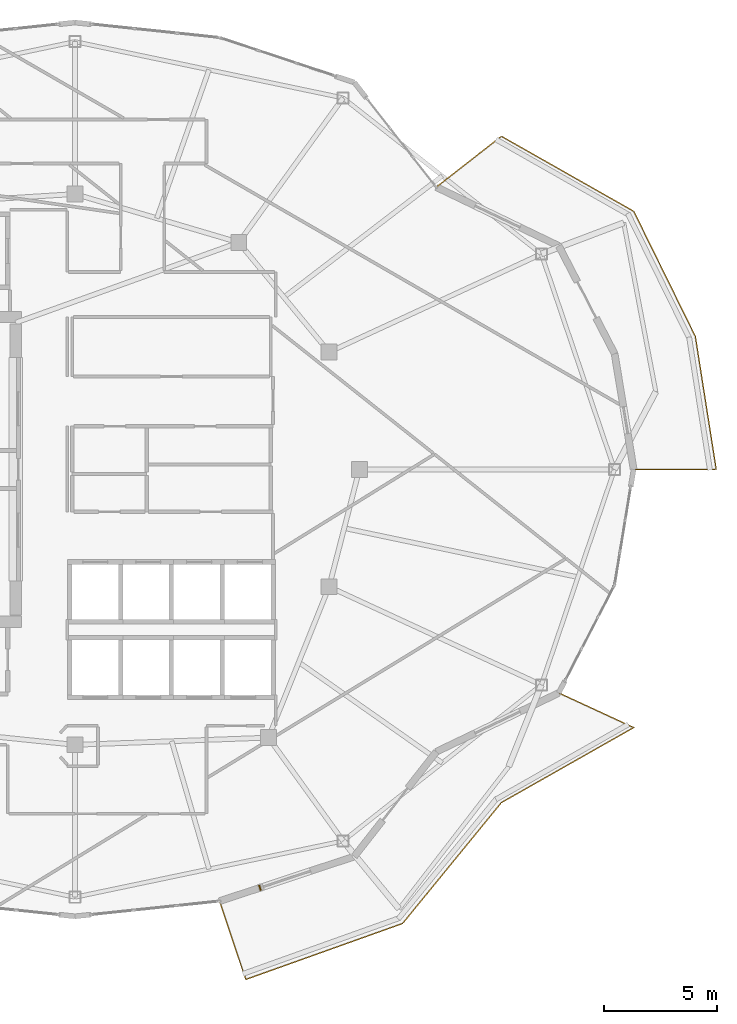
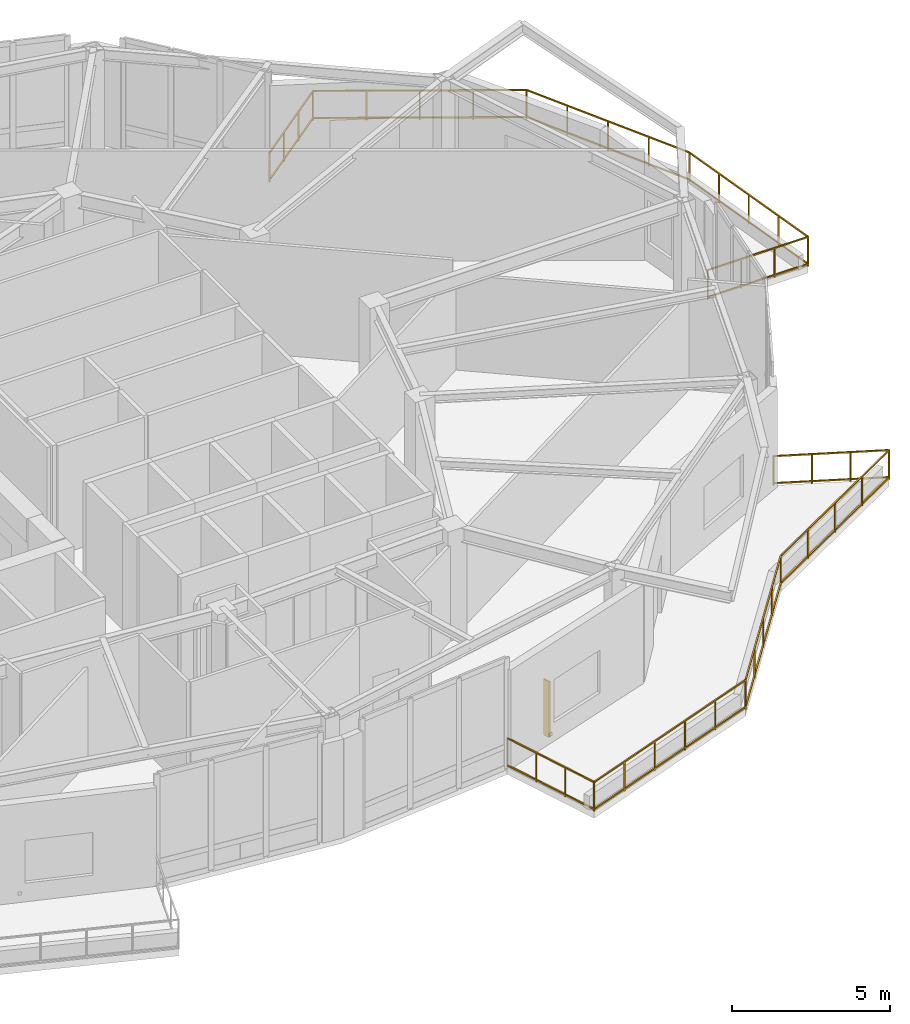
# One storey, part 15 of 15: 2 railings, 1 shading device.
"""IFC4 building model written with IfcOpenShell, lengths in metres."""

from ifc_helpers import new_model, si_unit, direction, frame, origin, origin_2d, place, context, subcontext, project, spatial, rectangle, extrude, material, type_object, element, save


model = new_model("IFC4")

# Units and contexts
model_context = context("Model", 3, precision=1e-05, world=origin(), true_north=direction((0.0, 1.0)))
body_context = subcontext(model_context, "Body", "Model", "MODEL_VIEW")
ifc_project = project(units=[si_unit("LENGTHUNIT", "METRE"), si_unit("AREAUNIT", "SQUARE_METRE"), si_unit("VOLUMEUNIT", "CUBIC_METRE"), si_unit("PLANEANGLEUNIT", "RADIAN"), si_unit("MASSUNIT", "GRAM", prefix="KILO")], contexts=[model_context])

# Site, building, storey
site_placement = place(None, origin())
site = spatial("IfcSite", under=ifc_project, at=site_placement, CompositionType="ELEMENT")
building_placement = place(site_placement, origin())
building = spatial("IfcBuilding", under=site, at=building_placement, Name="Kolvaren Gate Tower and Convention Centre", CompositionType="ELEMENT")
storey_placement = place(building_placement, frame((0.0, 0.0, 191.89990234375)))
storey = spatial("IfcBuildingStorey", under=building, at=storey_placement, Name="L50", CompositionType="ELEMENT", Elevation=191.89990234375)

# Railings
ifc_material_1 = material(Name="Brushed Stainless Steel Grade 316L", Category="steel")
railing_type = type_object("IfcRailingType", Name="ARCH-RL-GUARD-1150", PredefinedType="GUARDRAIL", material=ifc_material_1)
railing_1_placement = place(storey_placement, frame((54.875, 27.0, 0.0)))
element("IfcRailing", 1, at=railing_1_placement, inside=storey, type_object=railing_type, Name="Tower L50 Terrace Perimeter Guardrail GR-1", PredefinedType="GUARDRAIL", context=body_context, shape_type="SweptSolid", body=[
    extrude(rectangle(XDim=0.048095703125, YDim=0.048095703125, at=origin_2d()), frame((0.028076171875, 0.0, 1.1259765625), z_axis=(1.0, 0.0, 0.0), x_axis=(0.0, 1.0, 0.0)), (0.0, 0.0, 1.0), 3.603759765625),
    extrude(rectangle(XDim=0.048095703125, YDim=0.048095703125, at=origin_2d()), frame((0.028076171875, 0.0, 0.083984375), z_axis=(1.0, 0.0, 0.0), x_axis=(0.0, 1.0, 0.0)), (0.0, 0.0, 1.0), 3.603759765625),
    extrude(rectangle(XDim=0.048095703125, YDim=0.048095703125, at=origin_2d()), frame((3.655517578125, 0.027587890625, 1.1259765625), z_axis=(-0.155031225865, 0.987909570258, 0.0), x_axis=(-0.987909570258, -0.155031225865, 0.0)), (0.0, 0.0, 1.0), 5.90771484375),
    extrude(rectangle(XDim=0.048095703125, YDim=0.048095703125, at=origin_2d()), frame((3.655517578125, 0.027587890625, 0.083984375), z_axis=(-0.155031225865, 0.987909570258, 0.0), x_axis=(-0.987909570258, -0.155031225865, 0.0)), (0.0, 0.0, 1.0), 5.90771484375),
    extrude(rectangle(XDim=0.048095703125, YDim=0.048095703125, at=origin_2d()), frame((2.722900390625, 5.916748046875, 1.1259765625), z_axis=(-0.441625304244, 0.897199582396, 0.0), x_axis=(-0.897199582396, -0.441625304244, 0.0)), (0.0, 0.0, 1.0), 6.122314453125),
    extrude(rectangle(XDim=0.048095703125, YDim=0.048095703125, at=origin_2d()), frame((2.722900390625, 5.916748046875, 0.083984375), z_axis=(-0.441625304244, 0.897199582396, 0.0), x_axis=(-0.897199582396, -0.441625304244, 0.0)), (0.0, 0.0, 1.0), 6.122314453125),
    extrude(rectangle(XDim=0.048095703125, YDim=0.048095703125, at=origin_2d()), frame((-0.017578125, 11.44873046875, 1.1259765625), z_axis=(-0.869876155964, 0.493270182846, 0.0), x_axis=(-0.493270182846, -0.869876155964, 0.0)), (0.0, 0.0, 1.0), 6.6865234375),
    extrude(rectangle(XDim=0.048095703125, YDim=0.048095703125, at=origin_2d()), frame((-0.017578125, 11.44873046875, 0.083984375), z_axis=(-0.869876155964, 0.493270182846, 0.0), x_axis=(-0.493270182846, -0.869876155964, 0.0)), (0.0, 0.0, 1.0), 6.6865234375),
    extrude(rectangle(XDim=0.048095703125, YDim=0.048095703125, at=origin_2d()), frame((-5.880615234375, 14.743408203125, 1.1259765625), z_axis=(-0.787988976981, -0.61568934712, 0.0), x_axis=(0.61568934712, -0.787988976981, 0.0)), (0.0, 0.0, 1.0), 3.60400390625),
    extrude(rectangle(XDim=0.048095703125, YDim=0.048095703125, at=origin_2d()), frame((-5.880615234375, 14.743408203125, 0.083984375), z_axis=(-0.787988976981, -0.61568934712, 0.0), x_axis=(0.61568934712, -0.787988976981, 0.0)), (0.0, 0.0, 1.0), 3.60400390625),
    extrude(rectangle(XDim=0.0419921875, YDim=0.0419921875, at=origin_2d()), origin(), (0.0, 0.0, 1.0), 1.14990234375),
    extrude(rectangle(XDim=0.0419921875, YDim=0.0419921875, at=origin_2d()), frame((3.659912109375, 0.0, 0.0)), (0.0, 0.0, 1.0), 1.14990234375),
    extrude(rectangle(XDim=0.0419921875, YDim=0.0419921875, at=origin_2d()), frame((1.219970703125, 0.0, 0.0)), (0.0, 0.0, 1.0), 1.099853515625),
    extrude(rectangle(XDim=0.0419921875, YDim=0.0419921875, at=origin_2d()), frame((2.43994140625, 0.0, 0.0)), (0.0, 0.0, 1.0), 1.099853515625),
    extrude(rectangle(XDim=0.0419921875, YDim=0.0419921875, at=origin_2d()), frame((2.7353515625, 5.8916015625, 0.0)), (0.0, 0.0, 1.0), 1.14990234375),
    extrude(rectangle(XDim=0.0419921875, YDim=0.0419921875, at=origin_2d()), frame((3.4287109375, 1.472900390625, 0.0)), (0.0, 0.0, 1.0), 1.099853515625),
    extrude(rectangle(XDim=0.0419921875, YDim=0.0419921875, at=origin_2d()), frame((3.19775390625, 2.94580078125, 0.0)), (0.0, 0.0, 1.0), 1.099853515625),
    extrude(rectangle(XDim=0.0419921875, YDim=0.0419921875, at=origin_2d()), frame((2.966552734375, 4.418701171875, 0.0)), (0.0, 0.0, 1.0), 1.099853515625),
    extrude(rectangle(XDim=0.0419921875, YDim=0.0419921875, at=origin_2d()), frame((0.0068359375, 11.434814453125, 0.0)), (0.0, 0.0, 1.0), 1.14990234375),
    extrude(rectangle(XDim=0.0419921875, YDim=0.0419921875, at=origin_2d()), frame((2.05322265625, 7.27734375, 0.0)), (0.0, 0.0, 1.0), 1.099853515625),
    extrude(rectangle(XDim=0.0419921875, YDim=0.0419921875, at=origin_2d()), frame((1.37109375, 8.6630859375, 0.0)), (0.0, 0.0, 1.0), 1.099853515625),
    extrude(rectangle(XDim=0.0419921875, YDim=0.0419921875, at=origin_2d()), frame((0.68896484375, 10.049072265625, 0.0)), (0.0, 0.0, 1.0), 1.099853515625),
    extrude(rectangle(XDim=0.0419921875, YDim=0.0419921875, at=origin_2d()), frame((-5.8583984375, 14.7607421875, 0.0)), (0.0, 0.0, 1.0), 1.14990234375),
    extrude(rectangle(XDim=0.0419921875, YDim=0.0419921875, at=origin_2d()), frame((-1.45947265625, 12.266357421875, 0.0)), (0.0, 0.0, 1.0), 1.099853515625),
    extrude(rectangle(XDim=0.0419921875, YDim=0.0419921875, at=origin_2d()), frame((-2.92578125, 13.09765625, 0.0)), (0.0, 0.0, 1.0), 1.099853515625),
    extrude(rectangle(XDim=0.0419921875, YDim=0.0419921875, at=origin_2d()), frame((-4.39208984375, 13.92919921875, 0.0)), (0.0, 0.0, 1.0), 1.099853515625),
    extrude(rectangle(XDim=0.0419921875, YDim=0.0419921875, at=origin_2d()), frame((-8.742431640625, 12.50732421875, 0.0)), (0.0, 0.0, 1.0), 1.14990234375),
    extrude(rectangle(XDim=0.0419921875, YDim=0.0419921875, at=origin_2d()), frame((-6.81982421875, 14.009521484375, 0.0)), (0.0, 0.0, 1.0), 1.099853515625),
    extrude(rectangle(XDim=0.0419921875, YDim=0.0419921875, at=origin_2d()), frame((-7.781005859375, 13.258544921875, 0.0)), (0.0, 0.0, 1.0), 1.099853515625),
])
railing_2_placement = place(storey_placement, frame((36.53076171875, 7.874755859375, 0.0)))
element("IfcRailing", 2, at=railing_2_placement, inside=storey, type_object=railing_type, Name="Tower L50 Terrace Perimeter Guardrail GR-4", PredefinedType="GUARDRAIL", context=body_context, shape_type="SweptSolid", body=[
    extrude(rectangle(XDim=0.048095703125, YDim=0.048095703125, at=origin_2d()), frame((0.0087890625, -0.026611328125, 1.1259765625), z_axis=(0.317588247294, -0.948228719867, 0.0), x_axis=(0.948228719867, 0.317588247294, 0.0)), (0.0, 0.0, 1.0), 3.603759765625),
    extrude(rectangle(XDim=0.048095703125, YDim=0.048095703125, at=origin_2d()), frame((0.0087890625, -0.026611328125, 0.083984375), z_axis=(0.317588247294, -0.948228719867, 0.0), x_axis=(0.948228719867, 0.317588247294, 0.0)), (0.0, 0.0, 1.0), 3.603759765625),
    extrude(rectangle(XDim=0.048095703125, YDim=0.048095703125, at=origin_2d()), frame((1.188720703125, -3.4609375, 1.1259765625), z_axis=(0.941783827204, 0.336219010197, 0.0), x_axis=(-0.336219010197, 0.941783827204, 0.0)), (0.0, 0.0, 1.0), 7.322265625),
    extrude(rectangle(XDim=0.048095703125, YDim=0.048095703125, at=origin_2d()), frame((1.188720703125, -3.4609375, 0.083984375), z_axis=(0.941783827204, 0.336219010197, 0.0), x_axis=(-0.336219010197, 0.941783827204, 0.0)), (0.0, 0.0, 1.0), 7.322265625),
    extrude(rectangle(XDim=0.048095703125, YDim=0.048095703125, at=origin_2d()), frame((8.12890625, -0.968017578125, 1.1259765625), z_axis=(0.632718487063, 0.77438189295, 0.0), x_axis=(-0.77438189295, 0.632718487063, 0.0)), (0.0, 0.0, 1.0), 6.858154296875),
    extrude(rectangle(XDim=0.048095703125, YDim=0.048095703125, at=origin_2d()), frame((8.12890625, -0.968017578125, 0.083984375), z_axis=(0.632718487063, 0.77438189295, 0.0), x_axis=(-0.77438189295, 0.632718487063, 0.0)), (0.0, 0.0, 1.0), 6.858154296875),
    extrude(rectangle(XDim=0.048095703125, YDim=0.048095703125, at=origin_2d()), frame((12.51025390625, 4.37841796875, 1.1259765625), z_axis=(0.869876155964, 0.493270182846, 0.0), x_axis=(-0.493270182846, 0.869876155964, 0.0)), (0.0, 0.0, 1.0), 6.6865234375),
    extrude(rectangle(XDim=0.048095703125, YDim=0.048095703125, at=origin_2d()), frame((12.51025390625, 4.37841796875, 0.083984375), z_axis=(0.869876155964, 0.493270182846, 0.0), x_axis=(-0.493270182846, 0.869876155964, 0.0)), (0.0, 0.0, 1.0), 6.6865234375),
    extrude(rectangle(XDim=0.048095703125, YDim=0.048095703125, at=origin_2d()), frame((18.32568359375, 7.7021484375, 1.1259765625), z_axis=(-0.907820723829, 0.419358478377, 0.0), x_axis=(-0.419358478377, -0.907820723829, 0.0)), (0.0, 0.0, 1.0), 3.60400390625),
    extrude(rectangle(XDim=0.048095703125, YDim=0.048095703125, at=origin_2d()), frame((18.32568359375, 7.7021484375, 0.083984375), z_axis=(-0.907820723829, 0.419358478377, 0.0), x_axis=(-0.419358478377, -0.907820723829, 0.0)), (0.0, 0.0, 1.0), 3.60400390625),
    extrude(rectangle(XDim=0.0419921875, YDim=0.0419921875, at=origin_2d()), origin(), (0.0, 0.0, 1.0), 1.14990234375),
    extrude(rectangle(XDim=0.0419921875, YDim=0.0419921875, at=origin_2d()), frame((1.162353515625, -3.470458984375, 0.0)), (0.0, 0.0, 1.0), 1.14990234375),
    extrude(rectangle(XDim=0.0419921875, YDim=0.0419921875, at=origin_2d()), frame((0.387451171875, -1.15673828125, 0.0)), (0.0, 0.0, 1.0), 1.099853515625),
    extrude(rectangle(XDim=0.0419921875, YDim=0.0419921875, at=origin_2d()), frame((0.77490234375, -2.313720703125, 0.0)), (0.0, 0.0, 1.0), 1.099853515625),
    extrude(rectangle(XDim=0.0419921875, YDim=0.0419921875, at=origin_2d()), frame((8.111083984375, -0.98974609375, 0.0)), (0.0, 0.0, 1.0), 1.14990234375),
    extrude(rectangle(XDim=0.0419921875, YDim=0.0419921875, at=origin_2d()), frame((2.552001953125, -2.974365234375, 0.0)), (0.0, 0.0, 1.0), 1.099853515625),
    extrude(rectangle(XDim=0.0419921875, YDim=0.0419921875, at=origin_2d()), frame((3.94189453125, -2.478271484375, 0.0)), (0.0, 0.0, 1.0), 1.099853515625),
    extrude(rectangle(XDim=0.0419921875, YDim=0.0419921875, at=origin_2d()), frame((5.33154296875, -1.98193359375, 0.0)), (0.0, 0.0, 1.0), 1.099853515625),
    extrude(rectangle(XDim=0.0419921875, YDim=0.0419921875, at=origin_2d()), frame((6.721435546875, -1.48583984375, 0.0)), (0.0, 0.0, 1.0), 1.099853515625),
    extrude(rectangle(XDim=0.0419921875, YDim=0.0419921875, at=origin_2d()), frame((12.48583984375, 4.364501953125, 0.0)), (0.0, 0.0, 1.0), 1.14990234375),
    extrude(rectangle(XDim=0.0419921875, YDim=0.0419921875, at=origin_2d()), frame((9.204833984375, 0.348876953125, 0.0)), (0.0, 0.0, 1.0), 1.099853515625),
    extrude(rectangle(XDim=0.0419921875, YDim=0.0419921875, at=origin_2d()), frame((10.29833984375, 1.6875, 0.0)), (0.0, 0.0, 1.0), 1.099853515625),
    extrude(rectangle(XDim=0.0419921875, YDim=0.0419921875, at=origin_2d()), frame((11.39208984375, 3.02587890625, 0.0)), (0.0, 0.0, 1.0), 1.099853515625),
    extrude(rectangle(XDim=0.0419921875, YDim=0.0419921875, at=origin_2d()), frame((18.35107421875, 7.6904296875, 0.0)), (0.0, 0.0, 1.0), 1.14990234375),
    extrude(rectangle(XDim=0.0419921875, YDim=0.0419921875, at=origin_2d()), frame((13.9521484375, 5.196044921875, 0.0)), (0.0, 0.0, 1.0), 1.099853515625),
    extrude(rectangle(XDim=0.0419921875, YDim=0.0419921875, at=origin_2d()), frame((15.41845703125, 6.02734375, 0.0)), (0.0, 0.0, 1.0), 1.099853515625),
    extrude(rectangle(XDim=0.0419921875, YDim=0.0419921875, at=origin_2d()), frame((16.884765625, 6.85888671875, 0.0)), (0.0, 0.0, 1.0), 1.099853515625),
    extrude(rectangle(XDim=0.0419921875, YDim=0.0419921875, at=origin_2d()), frame((15.0283203125, 9.225341796875, 0.0)), (0.0, 0.0, 1.0), 1.14990234375),
    extrude(rectangle(XDim=0.0419921875, YDim=0.0419921875, at=origin_2d()), frame((17.243408203125, 8.2021484375, 0.0)), (0.0, 0.0, 1.0), 1.099853515625),
    extrude(rectangle(XDim=0.0419921875, YDim=0.0419921875, at=origin_2d()), frame((16.135986328125, 8.713623046875, 0.0)), (0.0, 0.0, 1.0), 1.099853515625),
])

# Shading device
ifc_material_2 = material(Name="Kiln-Fired Bogota Terracotta Ceramic Louvre Profile", Category="masonry")
shading_device_type = type_object("IfcShadingDeviceType", Name="ARCH-SHD-FIN-180", PredefinedType="JALOUSIE", material=ifc_material_2)
shading_device_placement = place(storey_placement, frame((38.319091796875, 8.46728515625, 0.22021484375), z_axis=(0.0, 0.0, 1.0), x_axis=(0.949241728595, 0.314547517385, 0.0)))
element("IfcShadingDevice", 3, at=shading_device_placement, inside=storey, type_object=shading_device_type, Name="Ceramic Vertical Brise-Soleil Fin FN-L50-19", PredefinedType="JALOUSIE", context=body_context, shape_type="SweptSolid", body=[
    extrude(rectangle(XDim=0.06005859375, YDim=0.239990234375, at=origin_2d()), origin(), (0.0, 0.0, 1.0), 2.14990234375),
])

save(model, "model.ifc")
